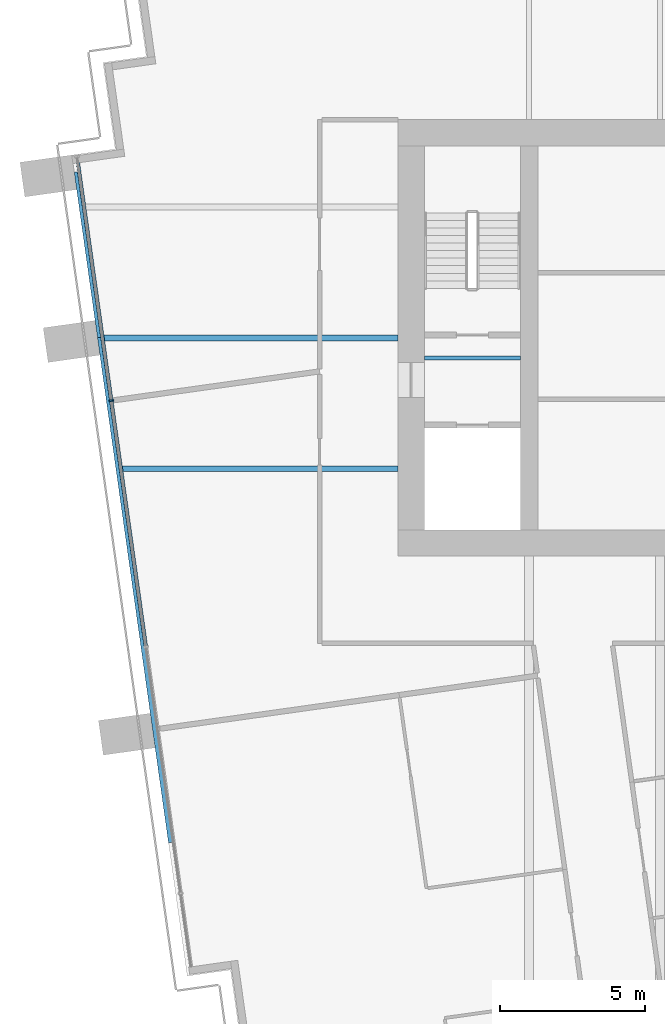
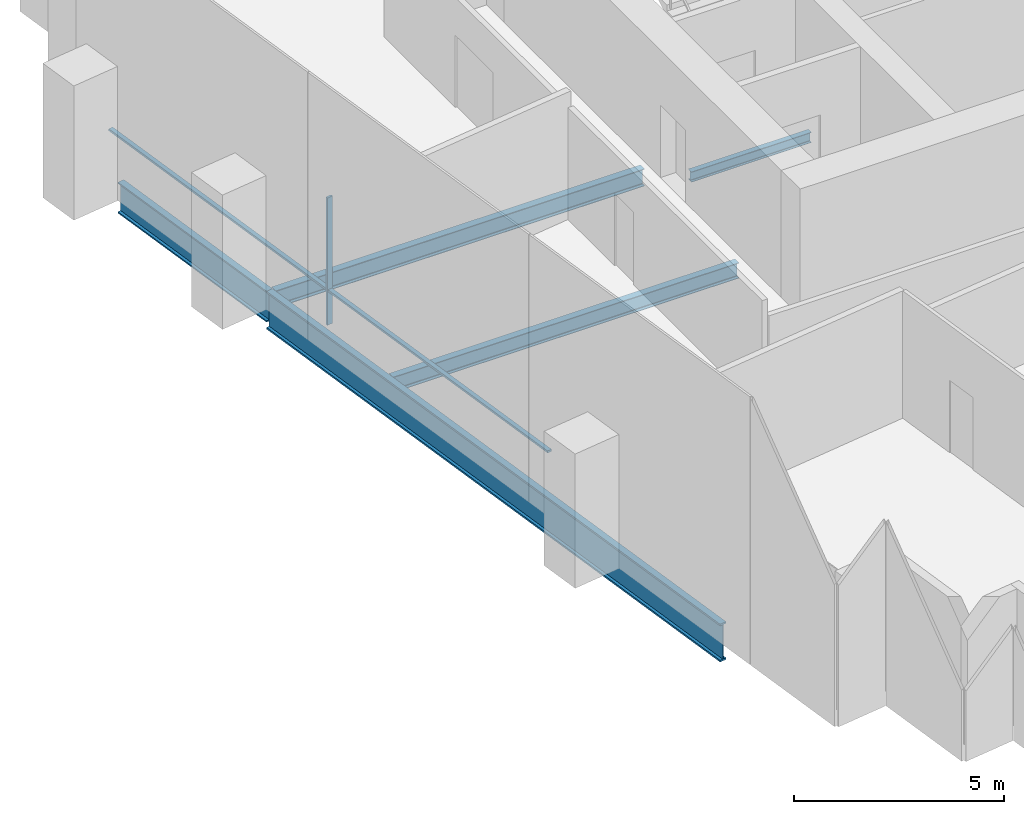
# One storey, part 3 of 17: 5 beams, 3 members, 1 element without a shape of its own.
"""IFC4 building model written with IfcOpenShell, lengths in metres."""

from ifc_helpers import new_model, si_unit, direction, frame, origin, origin_2d, place, context, subcontext, project, spatial, rectangle, i_section, extrude, material, material_profile, profile_set, type_object, element, aggregate, save


model = new_model("IFC4")

# Units and contexts
model_context = context("Model", 3, precision=1e-05, world=origin(), true_north=direction((0.0, 1.0)))
body_context = subcontext(model_context, "Body", "Model", "MODEL_VIEW")
ifc_project = project(units=[si_unit("LENGTHUNIT", "METRE"), si_unit("AREAUNIT", "SQUARE_METRE"), si_unit("VOLUMEUNIT", "CUBIC_METRE"), si_unit("PLANEANGLEUNIT", "RADIAN"), si_unit("MASSUNIT", "GRAM", prefix="KILO")], contexts=[model_context])

# Site, building, storey
site_placement = place(None, origin())
site = spatial("IfcSite", under=ifc_project, at=site_placement, CompositionType="ELEMENT")
building_placement = place(site_placement, origin())
building = spatial("IfcBuilding", under=site, at=building_placement, Name="Rattan Terrace Tower", CompositionType="ELEMENT")
storey_placement = place(building_placement, frame((0.0, 0.0, 180.199951171875)))
storey = spatial("IfcBuildingStorey", under=building, at=storey_placement, Name="L41", CompositionType="ELEMENT", Elevation=180.199951171875)

# Curtain wall, members
ifc_material_1 = material(Name="Aluminium and glass", Category="aluminium")
curtain_wall_type = type_object("IfcCurtainWallType", Name="Facade Unitised Curtain Wall", PredefinedType="NOTDEFINED", material=ifc_material_1)
curtain_wall_placement = place(storey_placement, origin())
curtain_wall = element("IfcCurtainWall", 1, at=curtain_wall_placement, inside=storey, type_object=curtain_wall_type, Name="Curtain wall L41-3", PredefinedType="NOTDEFINED")
ifc_material_2 = material(Name="Aluminium", Category="aluminium")
ifc_material_profile_1 = material_profile(ifc_material_2, rectangle(XDim=0.06005859375, YDim=0.159912109375, at=origin_2d()), Name="Aluminium 60x160")
ifc_profile_set_1 = profile_set([ifc_material_profile_1], Name="Aluminium")
member_type_1 = type_object("IfcMemberType", Name="Facade CW Mullion 60x160", PredefinedType="MULLION", material=ifc_profile_set_1)
member_1_placement = place(storey_placement, frame((-27.857666015625, -2.1591796875, 0.0), z_axis=(0.0, 0.0, 1.0), x_axis=(0.139190856006, -0.99026557327, 0.0)))
member_1 = element("IfcMember", 2, at=member_1_placement, type_object=member_type_1, Name="Mullion cwl-L41-003.2", PredefinedType="MULLION", context=body_context, shape_type="SweptSolid", body=[
    extrude(rectangle(XDim=0.06005859375, YDim=0.159912109375, at=origin_2d()), origin(), (0.0, 0.0, 1.0), 3.699951171875),
])
ifc_material_3 = material(Name="Aluminium", Category="aluminium")
ifc_material_profile_2 = material_profile(ifc_material_3, rectangle(XDim=0.1201171875, YDim=0.06005859375, at=origin_2d()), Name="Aluminium 120x60")
ifc_profile_set_2 = profile_set([ifc_material_profile_2], Name="Aluminium")
member_type_2 = type_object("IfcMemberType", Name="Facade CW Transom 120x60", PredefinedType="USERDEFINED", material=ifc_profile_set_2)
member_2_placement = place(storey_placement, frame((-29.032958984375, 6.20361328125, 1.0), z_axis=(0.139174814558, -0.99026782791, 0.0), x_axis=(0.99026782791, 0.139174814558, 0.0)))
member_2 = element("IfcMember", 3, at=member_2_placement, type_object=member_type_2, Name="Transom cwl-L41-003.1", ObjectType="TRANSOM", PredefinedType="USERDEFINED", context=body_context, shape_type="SweptSolid", body=[
    extrude(rectangle(XDim=0.1201171875, YDim=0.06005859375, at=origin_2d()), origin(), (0.0, 0.0, 1.0), 8.414794921875),
])
member_3_placement = place(storey_placement, frame((-27.853515625, -2.188720703125, 1.0), z_axis=(0.139206806234, -0.990263331189, 0.0), x_axis=(0.990263331189, 0.139206806234, 0.0)))
member_3 = element("IfcMember", 4, at=member_3_placement, type_object=member_type_2, Name="Transom cwl-L41-003.2", ObjectType="TRANSOM", PredefinedType="USERDEFINED", context=body_context, shape_type="SweptSolid", body=[
    extrude(rectangle(XDim=0.1201171875, YDim=0.06005859375, at=origin_2d()), origin(), (0.0, 0.0, 1.0), 8.490234375),
])
aggregate(curtain_wall, [member_1, member_2, member_3])

# Beams
ifc_material_4 = material(Name="Steel S460", Category="steel")
ifc_material_profile_3 = material_profile(ifc_material_4, i_section(OverallWidth=0.179931640625, OverallDepth=1.10009765625, WebThickness=0.01611328125, FlangeThickness=0.050048828125, at=origin_2d()), Name="PG 1100x180-16-50")
ifc_profile_set_3 = profile_set([ifc_material_profile_3], Name="Steel S460")
beam_type_1 = type_object("IfcBeamType", Name="Frame edge girder PG 1100x180-16-50", PredefinedType="SPANDREL", material=ifc_profile_set_3)
beam_1_placement = place(storey_placement, frame((-25.803955078125, -17.347900390625, -0.75), z_axis=(-0.13917502981, 0.990267797657, 0.0), x_axis=(-0.990267797657, -0.13917502981, 0.0)))
element("IfcBeam", 5, at=beam_1_placement, inside=storey, type_object=beam_type_1, Name="gdr-L41-003", PredefinedType="SPANDREL", context=body_context, shape_type="SweptSolid", body=[
    extrude(i_section(OverallWidth=0.179931640625, OverallDepth=1.10009765625, WebThickness=0.01611328125, FlangeThickness=0.050048828125, at=origin_2d()), origin(), (0.0, 0.0, 1.0), 17.531494140625),
])
ifc_material_5 = material(Name="Steel S460", Category="steel")
ifc_material_profile_4 = material_profile(ifc_material_5, i_section(OverallWidth=0.179931640625, OverallDepth=0.89990234375, WebThickness=0.013916015625, FlangeThickness=0.0400390625, at=origin_2d()), Name="PG 900x180-14-40")
ifc_profile_set_4 = profile_set([ifc_material_profile_4], Name="Steel S460")
beam_type_2 = type_object("IfcBeamType", Name="Frame edge girder PG 900x180-14-40", PredefinedType="SPANDREL", material=ifc_profile_set_4)
beam_2_placement = place(storey_placement, frame((-29.0439453125, 5.702880859375, -0.64990234375), z_axis=(0.139237904773, -0.990258958997, 0.0), x_axis=(0.990258958997, 0.139237904773, 0.0)))
element("IfcBeam", 6, at=beam_2_placement, inside=storey, type_object=beam_type_2, Name="gdr-L41-004", PredefinedType="SPANDREL", context=body_context, shape_type="SweptSolid", body=[
    extrude(i_section(OverallWidth=0.179931640625, OverallDepth=0.89990234375, WebThickness=0.013916015625, FlangeThickness=0.0400390625, at=origin_2d()), origin(), (0.0, 0.0, 1.0), 5.745849609375),
])
ifc_material_6 = material(Name="Steel S355", Category="steel")
ifc_material_profile_5 = material_profile(ifc_material_6, i_section(OverallWidth=0.14990234375, OverallDepth=0.300048828125, WebThickness=0.007080078125, FlangeThickness=0.0107421875, FilletRadius=0.014892578125, at=origin_2d()), Name="IPE 300")
ifc_profile_set_5 = profile_set([ifc_material_profile_5], Name="Steel S355")
beam_type_3 = type_object("IfcBeamType", Name="Frame floor beam IPE 300", PredefinedType="JOIST", material=ifc_profile_set_5)
beam_3_placement = place(storey_placement, frame((-17.10009765625, -0.695068359375, -0.349853515625), z_axis=(1.0, 0.0, 0.0), x_axis=(0.0, 1.0, 0.0)))
element("IfcBeam", 7, at=beam_3_placement, inside=storey, type_object=beam_type_3, Name="bm-L41-001", PredefinedType="JOIST", context=body_context, shape_type="SweptSolid", body=[
    extrude(i_section(OverallWidth=0.14990234375, OverallDepth=0.300048828125, WebThickness=0.007080078125, FlangeThickness=0.0107421875, FilletRadius=0.014892578125, at=origin_2d()), origin(), (0.0, 0.0, 1.0), 3.300048828125),
])
ifc_material_7 = material(Name="Steel S355", Category="steel")
ifc_material_profile_6 = material_profile(ifc_material_7, i_section(OverallWidth=0.18994140625, OverallDepth=0.449951171875, WebThickness=0.009521484375, FlangeThickness=0.0146484375, FilletRadius=0.02099609375, at=origin_2d()), Name="IPE 450")
ifc_profile_set_6 = profile_set([ifc_material_profile_6], Name="Steel S355")
beam_type_4 = type_object("IfcBeamType", Name="Frame floor beam IPE 450", PredefinedType="JOIST", material=ifc_profile_set_6)
beam_4_placement = place(storey_placement, frame((-27.5048828125, -4.5, -0.425048828125), z_axis=(1.0, 0.0, 0.0), x_axis=(0.0, 1.0, 0.0)))
element("IfcBeam", 8, at=beam_4_placement, inside=storey, type_object=beam_type_4, Name="bm-L41-010", PredefinedType="JOIST", context=body_context, shape_type="SweptSolid", body=[
    extrude(i_section(OverallWidth=0.18994140625, OverallDepth=0.449951171875, WebThickness=0.009521484375, FlangeThickness=0.0146484375, FilletRadius=0.02099609375, at=origin_2d()), origin(), (0.0, 0.0, 1.0), 9.5048828125),
])
ifc_material_8 = material(Name="Steel S355", Category="steel")
ifc_material_profile_7 = material_profile(ifc_material_8, i_section(OverallWidth=0.199951171875, OverallDepth=0.5, WebThickness=0.01025390625, FlangeThickness=0.01611328125, FilletRadius=0.02099609375, at=origin_2d()), Name="IPE 500")
ifc_profile_set_7 = profile_set([ifc_material_profile_7], Name="Steel S355")
beam_type_5 = type_object("IfcBeamType", Name="Frame floor beam IPE 500", PredefinedType="JOIST", material=ifc_profile_set_7)
beam_5_placement = place(storey_placement, frame((-28.136962890625, 0.0, -0.449951171875), z_axis=(1.0, 0.0, 0.0), x_axis=(0.0, 1.0, 0.0)))
element("IfcBeam", 9, at=beam_5_placement, inside=storey, type_object=beam_type_5, Name="bm-L41-012", PredefinedType="JOIST", context=body_context, shape_type="SweptSolid", body=[
    extrude(i_section(OverallWidth=0.199951171875, OverallDepth=0.5, WebThickness=0.01025390625, FlangeThickness=0.01611328125, FilletRadius=0.02099609375, at=origin_2d()), origin(), (0.0, 0.0, 1.0), 10.136962890625),
])

save(model, "model.ifc")
